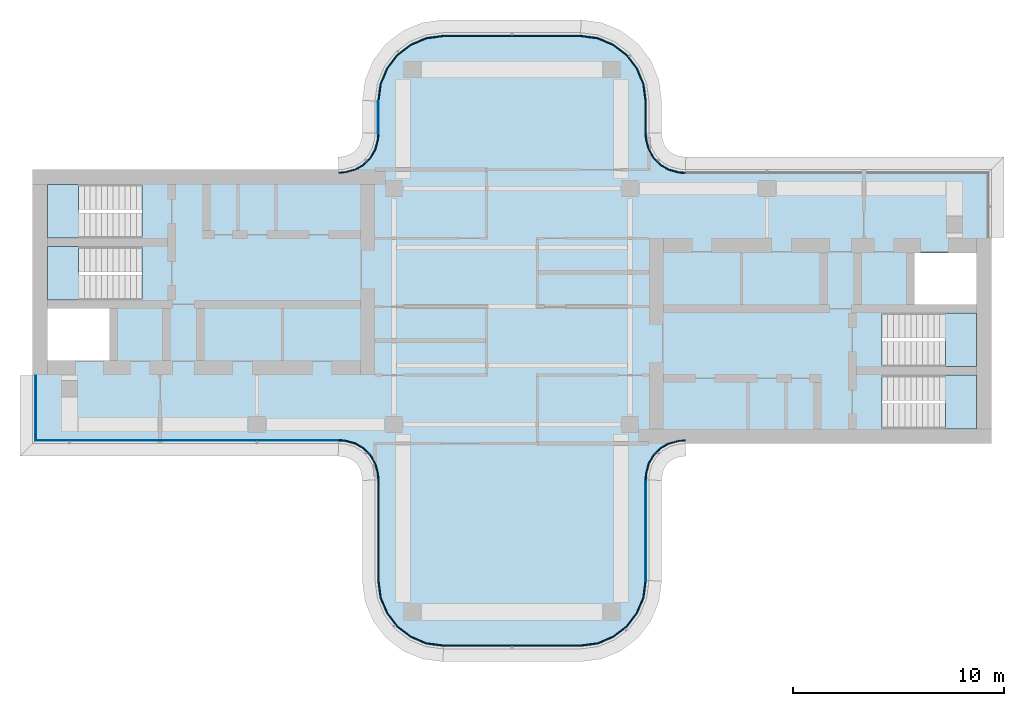
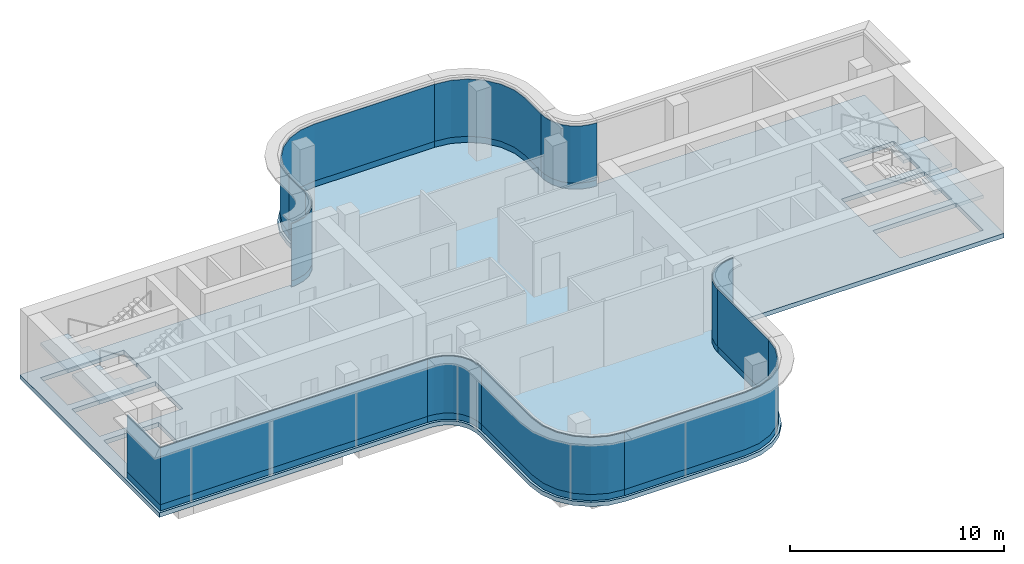
# One storey, part 6 of 10: 24 plates, 5 slabs, 16 elements without a shape of their own.
"""IFC4 building model written with IfcOpenShell, lengths in metres."""

import ifcopenshell
import ifcopenshell.guid

model = None  # the IFC model being written
_history = None  # IfcOwnerHistory: only IFC2X3 demands one
_inside = {}  # id of a spatial element -> (the spatial element, [elements in it])
_under = {}  # id of a project, library or spatial element -> (it, [spatial elements below it])
_declared = {}  # id of a project -> (the project, [libraries it declares])
_typed = {}  # id of a type object -> (the type object, [elements of that type])
_made_of = {}  # id of a material, layer set ... -> (it, [elements and type objects made of it])


def new_model(schema):
    """Start an empty IFC model of exactly this schema.

    Asked for "IFC4X3", IfcOpenShell would pick the latest addendum, in which some entities
    have other attributes; the version numbers below select the first issue.
    IFC2X3 requires an IfcOwnerHistory on every rooted entity: one is made here for all.
    """
    global model, _history
    if schema == "IFC4X3":
        model = ifcopenshell.file(schema_version=(4, 3, 0, 0))
    else:
        model = ifcopenshell.file(schema=schema)
    _inside.clear()
    _under.clear()
    _declared.clear()
    _typed.clear()
    _made_of.clear()
    _history = None
    if model.schema == "IFC2X3":
        org = make("IfcOrganization", Name="unknown")
        user = make(
            "IfcPersonAndOrganization",
            ThePerson=make("IfcPerson", FamilyName="unknown"),
            TheOrganization=org,
        )
        app = make(
            "IfcApplication",
            ApplicationDeveloper=org,
            Version="unknown",
            ApplicationFullName="unknown",
            ApplicationIdentifier="unknown",
        )
        _history = make(
            "IfcOwnerHistory",
            OwningUser=user,
            OwningApplication=app,
            ChangeAction="ADDED",
            CreationDate=0,
        )
    return model


def make(cls, **values):
    """One entity of the class cls with the attributes given. An attribute that is None is left unset."""
    return model.create_entity(
        cls, **{name: value for name, value in values.items() if value is not None}
    )


def rooted(cls, **values):
    """An entity with a GlobalId (a new one), such as an element, a storey or a relation."""
    return make(cls, GlobalId=ifcopenshell.guid.new(), OwnerHistory=_history, **values)


def si_unit(unit_type, name, prefix=None):
    """IfcSIUnit, for example si_unit("LENGTHUNIT", "METRE", prefix="MILLI")."""
    return make("IfcSIUnit", UnitType=unit_type, Prefix=prefix, Name=name)


def assignment(units):
    """IfcUnitAssignment: the units of a project."""
    return None if units is None else make("IfcUnitAssignment", Units=units)


def point(xyz):
    """IfcCartesianPoint."""
    return None if xyz is None else make("IfcCartesianPoint", Coordinates=xyz)


def direction(xyz):
    """IfcDirection."""
    return None if xyz is None else make("IfcDirection", DirectionRatios=xyz)


def frame(location, z_axis=None, x_axis=None):
    """IfcAxis2Placement3D, a coordinate frame: its origin and axes. An axis left out is left unset."""
    return make(
        "IfcAxis2Placement3D",
        Location=point(location),
        Axis=direction(z_axis),
        RefDirection=direction(x_axis),
    )


def origin():
    """The frame at (0, 0, 0) with its axes left unset."""
    return frame((0.0, 0.0, 0.0))


def place(relative_to, where):
    """IfcLocalPlacement: puts the frame where relative to a parent placement (None: the world)."""
    return make(
        "IfcLocalPlacement", PlacementRelTo=relative_to, RelativePlacement=where
    )


def context(
    kind, dimensions, precision=None, world=None, true_north=None, identifier=None
):
    """IfcGeometricRepresentationContext, for example the 3D "Model" context."""
    return make(
        "IfcGeometricRepresentationContext",
        ContextIdentifier=identifier,
        ContextType=kind,
        CoordinateSpaceDimension=dimensions,
        Precision=precision,
        WorldCoordinateSystem=world,
        TrueNorth=true_north,
    )


def subcontext(parent, identifier, kind, view, scale=None):
    """IfcGeometricRepresentationSubContext, for example "Body" below "Model"."""
    return make(
        "IfcGeometricRepresentationSubContext",
        ContextIdentifier=identifier,
        ContextType=kind,
        ParentContext=parent,
        TargetScale=scale,
        TargetView=view,
    )


def project(units=None, contexts=None):
    """IfcProject with its units and contexts."""
    return rooted(
        "IfcProject",
        Name="project",
        RepresentationContexts=contexts,
        UnitsInContext=assignment(units),
    )


def spatial(cls, under=None, at=None, **own):
    """A site, building, storey or space (cls), placed at a placement, below another one or the project."""
    s = rooted(cls, ObjectPlacement=at, **own)
    if under is not None:
        _under.setdefault(under.id(), (under, []))[1].append(s)
    return s


def polyline(points):
    """IfcPolyline through the points."""
    return make("IfcPolyline", Points=[point(p) for p in points])


def outline(outer, holes=None, kind="AREA"):
    """IfcArbitraryClosedProfileDef: a profile drawn as a closed curve; with holes, ...WithVoids."""
    if holes is None:
        return make("IfcArbitraryClosedProfileDef", ProfileType=kind, OuterCurve=outer)
    return make(
        "IfcArbitraryProfileDefWithVoids",
        ProfileType=kind,
        OuterCurve=outer,
        InnerCurves=holes,
    )


def extrude(swept, where, along, depth):
    """IfcExtrudedAreaSolid: the profile swept, set in the frame where, extruded along a direction by depth."""
    return make(
        "IfcExtrudedAreaSolid",
        SweptArea=swept,
        Position=where,
        ExtrudedDirection=direction(along),
        Depth=depth,
    )


def shape(context_of_items, identifier, shape_type, items):
    """IfcShapeRepresentation: the items that make up one representation, for example the "Body"."""
    return make(
        "IfcShapeRepresentation",
        ContextOfItems=context_of_items,
        RepresentationIdentifier=identifier,
        RepresentationType=shape_type,
        Items=items,
    )


def source(mapping_origin, context_of_items, identifier, shape_type, items):
    """IfcRepresentationMap: a shape defined once, which mapped items show again and again."""
    return make(
        "IfcRepresentationMap",
        MappingOrigin=mapping_origin,
        MappedRepresentation=shape(context_of_items, identifier, shape_type, items),
    )


def transform(
    local_origin,
    x_axis=None,
    y_axis=None,
    z_axis=None,
    scale=None,
    scale2=None,
    scale3=None,
    uniform=True,
):
    """IfcCartesianTransformationOperator3D, or its non-uniform kind. x_axis, y_axis, z_axis: its Axis1, 2, 3."""
    if uniform:
        return make(
            "IfcCartesianTransformationOperator3D",
            Axis1=direction(x_axis),
            Axis2=direction(y_axis),
            LocalOrigin=point(local_origin),
            Scale=scale,
            Axis3=direction(z_axis),
        )
    return make(
        "IfcCartesianTransformationOperator3DnonUniform",
        Axis1=direction(x_axis),
        Axis2=direction(y_axis),
        LocalOrigin=point(local_origin),
        Scale=scale,
        Axis3=direction(z_axis),
        Scale2=scale2,
        Scale3=scale3,
    )


def mapped(mapping_source, mapping_target):
    """IfcMappedItem: shows the shape of a source again, moved by a transform."""
    return make(
        "IfcMappedItem", MappingSource=mapping_source, MappingTarget=mapping_target
    )


def material(Name=None, Category=None):
    """IfcMaterial."""
    return make("IfcMaterial", Name=Name, Category=Category)


def layer(
    of_material, thickness, ventilated=None, Name=None, Category=None, Priority=None
):
    """IfcMaterialLayer: one layer of a wall or slab, of a material (None: an air gap)."""
    return make(
        "IfcMaterialLayer",
        Material=of_material,
        LayerThickness=thickness,
        IsVentilated=ventilated,
        Name=Name,
        Category=Category,
        Priority=Priority,
    )


def layer_set(layers, Name=None):
    """IfcMaterialLayerSet."""
    return make("IfcMaterialLayerSet", MaterialLayers=layers, LayerSetName=Name)


def made_of(thing, what):
    """Note that an element or type object is made of a material, layer set ...; save() writes the relation."""
    if what is not None:
        _made_of.setdefault(what.id(), (what, []))[1].append(thing)
    return thing


def type_object(cls, material=None, **own):
    """A type object (cls), such as IfcWallType, which elements share."""
    return made_of(rooted(cls, **own), material)


def element(
    cls,
    number,
    at=None,
    inside=None,
    cuts=None,
    type_object=None,
    material=None,
    context=None,
    identifier="Body",
    shape_type=None,
    held_by="IfcProductDefinitionShape",
    body=None,
    shapes=None,
    **own,
):
    """One element of the class cls, such as IfcWall. Its Tag is "e" and its number.

    at: its placement. inside: the storey or other place that contains it. cuts: it is an
    opening in that element (IfcRelVoidsElement). A single representation is given by context,
    identifier, shape_type and body (its items); several are given by shapes. held_by: the class
    of the entity that holds the representations. save() writes the other relations.
    """
    e = rooted(cls, Tag="e%d" % number, ObjectPlacement=at, **own)
    if body is not None:
        shapes = [shape(context, identifier, shape_type, body)]
    if shapes is not None:
        e.Representation = make(held_by, Representations=shapes)
    if inside is not None:
        _inside.setdefault(inside.id(), (inside, []))[1].append(e)
    if cuts is not None:
        rooted(
            "IfcRelVoidsElement", RelatingBuildingElement=cuts, RelatedOpeningElement=e
        )
    if type_object is not None:
        _typed.setdefault(type_object.id(), (type_object, []))[1].append(e)
    return made_of(e, material)


def aggregate(whole, parts):
    """IfcRelAggregates: a whole, such as a stair, and the parts it consists of."""
    return rooted("IfcRelAggregates", RelatingObject=whole, RelatedObjects=parts)


def save(model, path):
    """Write the relations noted so far, then the file.

    IfcRelAggregates (storeys below a building ...), IfcRelContainedInSpatialStructure (elements
    in a storey), IfcRelDefinesByType, IfcRelAssociatesMaterial and IfcRelDeclares: one each for
    every whole, place, type object, material and project.
    """
    for whole, parts in _under.values():
        aggregate(whole, parts)
    for where, things in _inside.values():
        rooted(
            "IfcRelContainedInSpatialStructure",
            RelatedElements=things,
            RelatingStructure=where,
        )
    for kind, things in _typed.values():
        rooted("IfcRelDefinesByType", RelatedObjects=things, RelatingType=kind)
    for what, things in _made_of.values():
        rooted("IfcRelAssociatesMaterial", RelatedObjects=things, RelatingMaterial=what)
    for by, libraries in _declared.values():
        rooted("IfcRelDeclares", RelatingContext=by, RelatedDefinitions=libraries)
    model.write(path)


model = new_model("IFC4")

# Units and contexts
model_context = context("Model", 3, precision=1e-05, world=origin(), true_north=direction((0.0, 1.0)))
body_context = subcontext(model_context, "Body", "Model", "MODEL_VIEW")
ifc_project = project(units=[si_unit("LENGTHUNIT", "METRE"), si_unit("AREAUNIT", "SQUARE_METRE"), si_unit("VOLUMEUNIT", "CUBIC_METRE"), si_unit("PLANEANGLEUNIT", "RADIAN"), si_unit("MASSUNIT", "GRAM", prefix="KILO")], contexts=[model_context])

# Site, building, storey
site_placement = place(None, origin())
site = spatial("IfcSite", under=ifc_project, at=site_placement, CompositionType="ELEMENT")
building_placement = place(site_placement, origin())
building = spatial("IfcBuilding", under=site, at=building_placement, Name="Trellis Farm Tower", CompositionType="ELEMENT")
storey_placement = place(building_placement, frame((0.0, 0.0, 350.10009765625)))
storey = spatial("IfcBuildingStorey", under=building, at=storey_placement, Name="L79", CompositionType="ELEMENT", Elevation=350.10009765625)

# Curtain wall, plate
ifc_material_1 = material(Name="Aluminium and glass curtain wall", Category="aluminium")
ifc_layer_1 = layer(ifc_material_1, 0.176025390625)
ifc_layer_set_1 = layer_set([ifc_layer_1], Name="CROWN LANTERN CURTAIN WALL CW5")
curtain_wall_type = type_object("IfcCurtainWallType", Name="CROWN LANTERN CURTAIN WALL CW5", PredefinedType="NOTDEFINED", material=ifc_layer_set_1)
placement_1 = place(storey_placement, origin())
curtain_wall_1 = element("IfcCurtainWall", 1, at=placement_1, inside=storey, type_object=curtain_wall_type, Name="CW5 002", PredefinedType="NOTDEFINED")
ifc_material_2 = material(Name="Clear insulated glass", Category="glass")
ifc_layer_2 = layer(ifc_material_2, 0.055908203125)
ifc_layer_set_2 = layer_set([ifc_layer_2], Name="CW5 GLASS PANEL 56")
plate_type_1 = type_object("IfcPlateType", Name="CW5 GLASS PANEL 56", PredefinedType="CURTAIN_PANEL", material=ifc_layer_set_2)
placement_2 = place(storey_placement, frame((0.0, 0.0, 0.349853515625)))
plate_1 = element("IfcPlate", 2, at=placement_2, type_object=plate_type_1, Name="PL5 002", PredefinedType="CURTAIN_PANEL", context=body_context, shape_type="SweptSolid", body=[
    extrude(outline(polyline([(-3.2421875, -16.1298828125), (3.2421875, -16.1298828125), (4.059814453125, -16.0224609375), (4.814453125, -15.709716796875), (5.46240234375, -15.21240234375), (5.959716796875, -14.564453125), (6.2724609375, -13.809814453125), (6.3798828125, -12.9921875), (6.323974609375, -12.988525390625), (6.2177734375, -13.795166015625), (5.910888671875, -14.5361328125), (5.422607421875, -15.172607421875), (4.7861328125, -15.660888671875), (4.045166015625, -15.9677734375), (3.238525390625, -16.073974609375), (-3.238525390625, -16.073974609375), (-3.2421875, -16.1298828125)])), origin(), (0.0, 0.0, 1.0), 3.25),
])

curtain_wall_2 = element("IfcCurtainWall", 3, at=placement_1, inside=storey, type_object=curtain_wall_type, Name="CW5 009", PredefinedType="NOTDEFINED")
plate_2 = element("IfcPlate", 4, at=placement_2, type_object=plate_type_1, Name="PL5 009", PredefinedType="CURTAIN_PANEL", context=body_context, shape_type="SweptSolid", body=[
    extrude(outline(polyline([(3.2421875, 12.8798828125), (-3.2421875, 12.8798828125), (-4.059814453125, 12.7724609375), (-4.814453125, 12.459716796875), (-5.46240234375, 11.96240234375), (-5.959716796875, 11.314453125), (-6.2724609375, 10.559814453125), (-6.3798828125, 9.7421875), (-6.323974609375, 9.738525390625), (-6.2177734375, 10.545166015625), (-5.910888671875, 11.2861328125), (-5.422607421875, 11.922607421875), (-4.7861328125, 12.410888671875), (-4.045166015625, 12.7177734375), (-3.238525390625, 12.823974609375), (3.238525390625, 12.823974609375), (3.2421875, 12.8798828125)])), origin(), (0.0, 0.0, 1.0), 3.25),
])

# Plate
ifc_material_3 = material(Name="Sandstone faced insulated panel", Category="masonry")
ifc_layer_3 = layer(ifc_material_3, 0.044921875)
ifc_layer_set_3 = layer_set([ifc_layer_3], Name="CW5 STONE SPANDREL PANEL 45")
plate_type_2 = type_object("IfcPlateType", Name="CW5 STONE SPANDREL PANEL 45", PredefinedType="CURTAIN_PANEL", material=ifc_layer_set_3)
plate_3 = element("IfcPlate", 5, at=placement_1, type_object=plate_type_2, Name="PS5 002", PredefinedType="CURTAIN_PANEL", context=body_context, shape_type="SweptSolid", body=[
    extrude(outline(polyline([(-3.2421875, -16.1298828125), (3.2421875, -16.1298828125), (4.059814453125, -16.0224609375), (4.814453125, -15.709716796875), (5.46240234375, -15.21240234375), (5.959716796875, -14.564453125), (6.2724609375, -13.809814453125), (6.3798828125, -12.9921875), (6.3349609375, -12.9892578125), (6.228515625, -13.798095703125), (5.92041015625, -14.541748046875), (5.430419921875, -15.180419921875), (4.791748046875, -15.67041015625), (4.048095703125, -15.978515625), (3.2392578125, -16.0849609375), (-3.2392578125, -16.0849609375), (-3.2421875, -16.1298828125)])), origin(), (0.0, 0.0, 1.0), 0.349853515625),
])

aggregate(curtain_wall_1, [plate_1, plate_3])

plate_4 = element("IfcPlate", 6, at=placement_1, type_object=plate_type_2, Name="PS5 009", PredefinedType="CURTAIN_PANEL", context=body_context, shape_type="SweptSolid", body=[
    extrude(outline(polyline([(3.2421875, 12.8798828125), (-3.2421875, 12.8798828125), (-4.059814453125, 12.7724609375), (-4.814453125, 12.459716796875), (-5.46240234375, 11.96240234375), (-5.959716796875, 11.314453125), (-6.2724609375, 10.559814453125), (-6.3798828125, 9.7421875), (-6.3349609375, 9.7392578125), (-6.228515625, 10.548095703125), (-5.92041015625, 11.291748046875), (-5.430419921875, 11.930419921875), (-4.791748046875, 12.42041015625), (-4.048095703125, 12.728515625), (-3.2392578125, 12.8349609375), (3.2392578125, 12.8349609375), (3.2421875, 12.8798828125)])), origin(), (0.0, 0.0, 1.0), 0.349853515625),
])

aggregate(curtain_wall_2, [plate_2, plate_4])

# Slab
ifc_material_4 = material(Name="Concrete C40/50", Category="concrete")
ifc_layer_4 = layer(ifc_material_4, 0.25)
ifc_layer_set_4 = layer_set([ifc_layer_4], Name="Composite deck floor slab 250")
slab_type_1 = type_object("IfcSlabType", Name="Composite deck floor slab 250", PredefinedType="FLOOR", material=ifc_layer_set_4)
shared_shape_1 = source(origin(), body_context, "Body", "SweptSolid", [
    extrude(outline(polyline([(-22.75, 6.5), (-8.2314453125, 6.5), (-8.01953125, 6.513916015625), (-7.91552734375, 6.527587890625), (-7.508544921875, 6.63671875), (-7.144287109375, 6.846923828125), (-6.846923828125, 7.144287109375), (-6.63671875, 7.508544921875), (-6.527587890625, 7.91552734375), (-6.513916015625, 8.01953125), (-6.5, 8.2314453125), (-6.5, 9.75), (-6.389404296875, 10.59130859375), (-6.064697265625, 11.375), (-5.548095703125, 12.048095703125), (-4.875, 12.564697265625), (-4.09130859375, 12.889404296875), (-3.25, 13.0), (3.25, 13.0), (4.09130859375, 12.889404296875), (4.875, 12.564697265625), (5.548095703125, 12.048095703125), (6.064697265625, 11.375), (6.389404296875, 10.59130859375), (6.5, 9.75), (6.5, 8.2314453125), (6.513916015625, 8.01953125), (6.527587890625, 7.91552734375), (6.63671875, 7.508544921875), (6.846923828125, 7.144287109375), (7.144287109375, 6.846923828125), (7.508544921875, 6.63671875), (7.91552734375, 6.527587890625), (8.01953125, 6.513916015625), (8.2314453125, 6.5), (22.75, 6.5), (22.75, -6.5), (8.2314453125, -6.5), (8.01953125, -6.513916015625), (7.91552734375, -6.527587890625), (7.508544921875, -6.63671875), (7.144287109375, -6.846923828125), (6.846923828125, -7.144287109375), (6.63671875, -7.508544921875), (6.527587890625, -7.91552734375), (6.513916015625, -8.01953125), (6.5, -8.2314453125), (6.5, -13.0), (6.389404296875, -13.84130859375), (6.064697265625, -14.625), (5.548095703125, -15.298095703125), (4.875, -15.814697265625), (4.09130859375, -16.139404296875), (3.25, -16.25), (-3.25, -16.25), (-4.09130859375, -16.139404296875), (-4.875, -15.814697265625), (-5.548095703125, -15.298095703125), (-6.064697265625, -14.625), (-6.389404296875, -13.84130859375), (-6.5, -13.0), (-6.5, -8.2314453125), (-6.513916015625, -8.01953125), (-6.527587890625, -7.91552734375), (-6.63671875, -7.508544921875), (-6.846923828125, -7.144287109375), (-7.144287109375, -6.846923828125), (-7.508544921875, -6.63671875), (-7.91552734375, -6.527587890625), (-8.01953125, -6.513916015625), (-8.2314453125, -6.5), (-22.75, -6.5), (-22.75, 6.5)]), holes=[polyline([(22.050048828125, -5.800048828125), (22.050048828125, -3.25), (17.56005859375, -3.25), (17.56005859375, -4.449951171875), (17.550048828125, -4.449951171875), (17.550048828125, -4.60009765625), (17.56201171875, -4.60009765625), (17.56201171875, -5.800048828125), (22.050048828125, -5.800048828125)]), polyline([(17.56201171875, -2.85009765625), (22.050048828125, -2.85009765625), (22.050048828125, -0.300048828125), (17.56005859375, -0.300048828125), (17.56005859375, -1.5), (17.550048828125, -1.5), (17.550048828125, -1.64990234375), (17.56201171875, -1.64990234375), (17.56201171875, -2.85009765625)]), polyline([(-22.050048828125, -2.550048828125), (-19.10009765625, -2.550048828125), (-19.10009765625, -0.10009765625), (-22.050048828125, -0.10009765625), (-22.050048828125, -2.550048828125)]), polyline([(19.10009765625, 2.550048828125), (19.10009765625, 0.10009765625), (22.050048828125, 0.10009765625), (22.050048828125, 2.550048828125), (19.10009765625, 2.550048828125)]), polyline([(-17.56201171875, 2.85009765625), (-22.050048828125, 2.85009765625), (-22.050048828125, 0.300048828125), (-17.56005859375, 0.300048828125), (-17.56005859375, 1.5), (-17.550048828125, 1.5), (-17.550048828125, 1.64990234375), (-17.56201171875, 1.64990234375), (-17.56201171875, 2.85009765625)]), polyline([(-17.56201171875, 5.800048828125), (-22.050048828125, 5.800048828125), (-22.050048828125, 3.25), (-17.56005859375, 3.25), (-17.56005859375, 4.449951171875), (-17.550048828125, 4.449951171875), (-17.550048828125, 4.60009765625), (-17.56201171875, 4.60009765625), (-17.56201171875, 5.800048828125)])]), origin(), (0.0, 0.0, 1.0), 0.25),
])
slab_1_placement = place(storey_placement, frame((0.0, 0.0, -0.25)))
element("IfcSlab", 7, at=slab_1_placement, inside=storey, type_object=slab_type_1, Name="Floor slab", PredefinedType="FLOOR", context=body_context, shape_type="MappedRepresentation", body=[
    mapped(shared_shape_1, transform((0.0, 0.0, 0.0))),
])

# Stair, slab
ifc_material_5 = material(Name="Concrete C50/60", Category="concrete")
stair_type = type_object("IfcStairType", Name="CORE EXIT STAIR 24 RISERS 167 MM", PredefinedType="HALF_TURN_STAIR", material=ifc_material_5)
stair_1 = element("IfcStair", 8, at=placement_1, inside=storey, type_object=stair_type, Name="Exit stair E1", PredefinedType="HALF_TURN_STAIR")
ifc_layer_5 = layer(ifc_material_5, 0.179931640625)
ifc_layer_set_5 = layer_set([ifc_layer_5], Name="CORE STAIR LANDING 180 CONCRETE C50/60")
slab_type_2 = type_object("IfcSlabType", Name="CORE STAIR LANDING 180 CONCRETE C50/60", PredefinedType="LANDING", material=ifc_layer_set_5)
shared_shape_2 = source(origin(), body_context, "Body", "SweptSolid", [
    extrude(outline(polyline([(20.56494140625, -5.800048828125), (20.56494140625, -4.60009765625), (20.574951171875, -4.60009765625), (20.574951171875, -4.449951171875), (20.21240234375, -4.449951171875), (20.21240234375, -3.25), (20.574951171875, -3.25), (22.050048828125, -3.25), (22.050048828125, -5.800048828125), (20.574951171875, -5.800048828125), (20.56494140625, -5.800048828125)])), origin(), (0.0, 0.0, 1.0), 0.18017578125),
])
placement_3 = place(storey_placement, frame((0.0, 0.0, 1.81982421875)))
slab_2 = element("IfcSlab", 9, at=placement_3, type_object=slab_type_2, Name="STE1 landing 1", PredefinedType="LANDING", context=body_context, shape_type="MappedRepresentation", body=[
    mapped(shared_shape_2, transform((0.0, 0.0, 0.0))),
])
aggregate(stair_1, [slab_2])

stair_2 = element("IfcStair", 10, at=placement_1, inside=storey, type_object=stair_type, Name="Exit stair E2", PredefinedType="HALF_TURN_STAIR")
shared_shape_3 = source(origin(), body_context, "Body", "SweptSolid", [
    extrude(outline(polyline([(20.56494140625, -2.85009765625), (20.56494140625, -1.64990234375), (20.574951171875, -1.64990234375), (20.574951171875, -1.5), (20.21240234375, -1.5), (20.21240234375, -0.300048828125), (20.574951171875, -0.300048828125), (22.050048828125, -0.300048828125), (22.050048828125, -2.85009765625), (20.574951171875, -2.85009765625), (20.56494140625, -2.85009765625)])), origin(), (0.0, 0.0, 1.0), 0.18017578125),
])
slab_3 = element("IfcSlab", 11, at=placement_3, type_object=slab_type_2, Name="STE2 landing 1", PredefinedType="LANDING", context=body_context, shape_type="MappedRepresentation", body=[
    mapped(shared_shape_3, transform((0.0, 0.0, 0.0))),
])
aggregate(stair_2, [slab_3])

stair_3 = element("IfcStair", 12, at=placement_1, inside=storey, type_object=stair_type, Name="Exit stair W1", PredefinedType="HALF_TURN_STAIR")
shared_shape_4 = source(origin(), body_context, "Body", "SweptSolid", [
    extrude(outline(polyline([(-20.21240234375, 4.449951171875), (-20.21240234375, 3.25), (-20.574951171875, 3.25), (-22.050048828125, 3.25), (-22.050048828125, 5.800048828125), (-20.574951171875, 5.800048828125), (-20.56494140625, 5.800048828125), (-20.56494140625, 4.60009765625), (-20.574951171875, 4.60009765625), (-20.574951171875, 4.449951171875), (-20.21240234375, 4.449951171875)])), origin(), (0.0, 0.0, 1.0), 0.18017578125),
])
slab_4 = element("IfcSlab", 13, at=placement_3, type_object=slab_type_2, Name="STW1 landing 1", PredefinedType="LANDING", context=body_context, shape_type="MappedRepresentation", body=[
    mapped(shared_shape_4, transform((0.0, 0.0, 0.0))),
])
aggregate(stair_3, [slab_4])

stair_4 = element("IfcStair", 14, at=placement_1, inside=storey, type_object=stair_type, Name="Exit stair W2", PredefinedType="HALF_TURN_STAIR")
shared_shape_5 = source(origin(), body_context, "Body", "SweptSolid", [
    extrude(outline(polyline([(-20.21240234375, 1.5), (-20.21240234375, 0.300048828125), (-20.574951171875, 0.300048828125), (-22.050048828125, 0.300048828125), (-22.050048828125, 2.85009765625), (-20.574951171875, 2.85009765625), (-20.56494140625, 2.85009765625), (-20.56494140625, 1.64990234375), (-20.574951171875, 1.64990234375), (-20.574951171875, 1.5), (-20.21240234375, 1.5)])), origin(), (0.0, 0.0, 1.0), 0.18017578125),
])
slab_5 = element("IfcSlab", 15, at=placement_3, type_object=slab_type_2, Name="STW2 landing 1", PredefinedType="LANDING", context=body_context, shape_type="MappedRepresentation", body=[
    mapped(shared_shape_5, transform((0.0, 0.0, 0.0))),
])
aggregate(stair_4, [slab_5])

# Curtain wall, plates
curtain_wall_3 = element("IfcCurtainWall", 16, at=placement_1, inside=storey, type_object=curtain_wall_type, Name="CW5 004", PredefinedType="NOTDEFINED")
shared_shape_6 = source(origin(), body_context, "Body", "SweptSolid", [
    extrude(outline(polyline([(6.3798828125, -8.2275390625), (6.394287109375, -8.0078125), (6.40966796875, -7.89208984375), (6.52490234375, -7.462158203125), (6.7509765625, -7.070556640625), (7.070556640625, -6.7509765625), (7.462158203125, -6.52490234375), (7.89208984375, -6.40966796875), (8.0078125, -6.394287109375), (8.2275390625, -6.3798828125), (8.2255859375, -6.323974609375), (8.002197265625, -6.338623046875), (7.881103515625, -6.3544921875), (7.440673828125, -6.47265625), (7.0361328125, -6.7060546875), (6.7060546875, -7.0361328125), (6.47265625, -7.440673828125), (6.3544921875, -7.881103515625), (6.338623046875, -8.002197265625), (6.323974609375, -8.2255859375), (6.3798828125, -8.2275390625)])), origin(), (0.0, 0.0, 1.0), 3.25),
])
plate_5 = element("IfcPlate", 17, at=placement_2, type_object=plate_type_1, Name="PL5 004", PredefinedType="CURTAIN_PANEL", context=body_context, shape_type="MappedRepresentation", body=[
    mapped(shared_shape_6, transform((0.0, 0.0, 0.0))),
])
shared_shape_7 = source(origin(), body_context, "Body", "SweptSolid", [
    extrude(outline(polyline([(6.3798828125, -8.2275390625), (6.394287109375, -8.0078125), (6.40966796875, -7.89208984375), (6.52490234375, -7.462158203125), (6.7509765625, -7.070556640625), (7.070556640625, -6.7509765625), (7.462158203125, -6.52490234375), (7.89208984375, -6.40966796875), (8.0078125, -6.394287109375), (8.2275390625, -6.3798828125), (8.22607421875, -6.3349609375), (8.00341796875, -6.349609375), (7.88330078125, -6.365478515625), (7.44482421875, -6.48291015625), (7.04296875, -6.71484375), (6.71484375, -7.04296875), (6.48291015625, -7.44482421875), (6.365478515625, -7.88330078125), (6.349609375, -8.00341796875), (6.3349609375, -8.22607421875), (6.3798828125, -8.2275390625)])), origin(), (0.0, 0.0, 1.0), 0.349853515625),
])
plate_6 = element("IfcPlate", 18, at=placement_1, type_object=plate_type_2, Name="PS5 004", PredefinedType="CURTAIN_PANEL", context=body_context, shape_type="MappedRepresentation", body=[
    mapped(shared_shape_7, transform((0.0, 0.0, 0.0))),
])
aggregate(curtain_wall_3, [plate_5, plate_6])

curtain_wall_4 = element("IfcCurtainWall", 19, at=placement_1, inside=storey, type_object=curtain_wall_type, Name="CW5 007", PredefinedType="NOTDEFINED")
shared_shape_8 = source(origin(), body_context, "Body", "SweptSolid", [
    extrude(outline(polyline([(8.2275390625, 6.3798828125), (8.0078125, 6.394287109375), (7.89208984375, 6.40966796875), (7.462158203125, 6.52490234375), (7.070556640625, 6.7509765625), (6.7509765625, 7.070556640625), (6.52490234375, 7.462158203125), (6.40966796875, 7.89208984375), (6.394287109375, 8.0078125), (6.3798828125, 8.2275390625), (6.323974609375, 8.2255859375), (6.338623046875, 8.002197265625), (6.3544921875, 7.881103515625), (6.47265625, 7.440673828125), (6.7060546875, 7.0361328125), (7.0361328125, 6.7060546875), (7.440673828125, 6.47265625), (7.881103515625, 6.3544921875), (8.002197265625, 6.338623046875), (8.2255859375, 6.323974609375), (8.2275390625, 6.3798828125)])), origin(), (0.0, 0.0, 1.0), 3.25),
])
plate_7 = element("IfcPlate", 20, at=placement_2, type_object=plate_type_1, Name="PL5 007", PredefinedType="CURTAIN_PANEL", context=body_context, shape_type="MappedRepresentation", body=[
    mapped(shared_shape_8, transform((0.0, 0.0, 0.0))),
])
shared_shape_9 = source(origin(), body_context, "Body", "SweptSolid", [
    extrude(outline(polyline([(8.2275390625, 6.3798828125), (8.0078125, 6.394287109375), (7.89208984375, 6.40966796875), (7.462158203125, 6.52490234375), (7.070556640625, 6.7509765625), (6.7509765625, 7.070556640625), (6.52490234375, 7.462158203125), (6.40966796875, 7.89208984375), (6.394287109375, 8.0078125), (6.3798828125, 8.2275390625), (6.3349609375, 8.22607421875), (6.349609375, 8.00341796875), (6.365478515625, 7.88330078125), (6.48291015625, 7.44482421875), (6.71484375, 7.04296875), (7.04296875, 6.71484375), (7.44482421875, 6.48291015625), (7.88330078125, 6.365478515625), (8.00341796875, 6.349609375), (8.22607421875, 6.3349609375), (8.2275390625, 6.3798828125)])), origin(), (0.0, 0.0, 1.0), 0.349853515625),
])
plate_8 = element("IfcPlate", 21, at=placement_1, type_object=plate_type_2, Name="PS5 007", PredefinedType="CURTAIN_PANEL", context=body_context, shape_type="MappedRepresentation", body=[
    mapped(shared_shape_9, transform((0.0, 0.0, 0.0))),
])
aggregate(curtain_wall_4, [plate_7, plate_8])

curtain_wall_5 = element("IfcCurtainWall", 22, at=placement_1, inside=storey, type_object=curtain_wall_type, Name="CW5 011", PredefinedType="NOTDEFINED")
shared_shape_10 = source(origin(), body_context, "Body", "SweptSolid", [
    extrude(outline(polyline([(-6.3798828125, 8.2275390625), (-6.394287109375, 8.0078125), (-6.40966796875, 7.89208984375), (-6.52490234375, 7.462158203125), (-6.7509765625, 7.070556640625), (-7.070556640625, 6.7509765625), (-7.462158203125, 6.52490234375), (-7.89208984375, 6.40966796875), (-8.0078125, 6.394287109375), (-8.2275390625, 6.3798828125), (-8.2255859375, 6.323974609375), (-8.002197265625, 6.338623046875), (-7.881103515625, 6.3544921875), (-7.440673828125, 6.47265625), (-7.0361328125, 6.7060546875), (-6.7060546875, 7.0361328125), (-6.47265625, 7.440673828125), (-6.3544921875, 7.881103515625), (-6.338623046875, 8.002197265625), (-6.323974609375, 8.2255859375), (-6.3798828125, 8.2275390625)])), origin(), (0.0, 0.0, 1.0), 3.25),
])
plate_9 = element("IfcPlate", 23, at=placement_2, type_object=plate_type_1, Name="PL5 011", PredefinedType="CURTAIN_PANEL", context=body_context, shape_type="MappedRepresentation", body=[
    mapped(shared_shape_10, transform((0.0, 0.0, 0.0))),
])
shared_shape_11 = source(origin(), body_context, "Body", "SweptSolid", [
    extrude(outline(polyline([(-6.3798828125, 8.2275390625), (-6.394287109375, 8.0078125), (-6.40966796875, 7.89208984375), (-6.52490234375, 7.462158203125), (-6.7509765625, 7.070556640625), (-7.070556640625, 6.7509765625), (-7.462158203125, 6.52490234375), (-7.89208984375, 6.40966796875), (-8.0078125, 6.394287109375), (-8.2275390625, 6.3798828125), (-8.22607421875, 6.3349609375), (-8.00341796875, 6.349609375), (-7.88330078125, 6.365478515625), (-7.44482421875, 6.48291015625), (-7.04296875, 6.71484375), (-6.71484375, 7.04296875), (-6.48291015625, 7.44482421875), (-6.365478515625, 7.88330078125), (-6.349609375, 8.00341796875), (-6.3349609375, 8.22607421875), (-6.3798828125, 8.2275390625)])), origin(), (0.0, 0.0, 1.0), 0.349853515625),
])
plate_10 = element("IfcPlate", 24, at=placement_1, type_object=plate_type_2, Name="PS5 011", PredefinedType="CURTAIN_PANEL", context=body_context, shape_type="MappedRepresentation", body=[
    mapped(shared_shape_11, transform((0.0, 0.0, 0.0))),
])
aggregate(curtain_wall_5, [plate_9, plate_10])

curtain_wall_6 = element("IfcCurtainWall", 25, at=placement_1, inside=storey, type_object=curtain_wall_type, Name="CW5 013", PredefinedType="NOTDEFINED")
shared_shape_12 = source(origin(), body_context, "Body", "SweptSolid", [
    extrude(outline(polyline([(-22.6298828125, -6.3798828125), (-8.2275390625, -6.3798828125), (-8.2255859375, -6.323974609375), (-22.573974609375, -6.323974609375), (-22.6298828125, -6.3798828125)])), origin(), (0.0, 0.0, 1.0), 3.25),
])
plate_11 = element("IfcPlate", 26, at=placement_2, type_object=plate_type_1, Name="PL5 013", PredefinedType="CURTAIN_PANEL", context=body_context, shape_type="MappedRepresentation", body=[
    mapped(shared_shape_12, transform((0.0, 0.0, 0.0))),
])
shared_shape_13 = source(origin(), body_context, "Body", "SweptSolid", [
    extrude(outline(polyline([(-22.6298828125, -6.3798828125), (-8.2275390625, -6.3798828125), (-8.22607421875, -6.3349609375), (-22.5849609375, -6.3349609375), (-22.6298828125, -6.3798828125)])), origin(), (0.0, 0.0, 1.0), 0.349853515625),
])
plate_12 = element("IfcPlate", 27, at=placement_1, type_object=plate_type_2, Name="PS5 013", PredefinedType="CURTAIN_PANEL", context=body_context, shape_type="MappedRepresentation", body=[
    mapped(shared_shape_13, transform((0.0, 0.0, 0.0))),
])
aggregate(curtain_wall_6, [plate_11, plate_12])

curtain_wall_7 = element("IfcCurtainWall", 28, at=placement_1, inside=storey, type_object=curtain_wall_type, Name="CW5 014", PredefinedType="NOTDEFINED")
shared_shape_14 = source(origin(), body_context, "Body", "SweptSolid", [
    extrude(outline(polyline([(-8.2275390625, -6.3798828125), (-8.0078125, -6.394287109375), (-7.89208984375, -6.40966796875), (-7.462158203125, -6.52490234375), (-7.070556640625, -6.7509765625), (-6.7509765625, -7.070556640625), (-6.52490234375, -7.462158203125), (-6.40966796875, -7.89208984375), (-6.394287109375, -8.0078125), (-6.3798828125, -8.2275390625), (-6.323974609375, -8.2255859375), (-6.338623046875, -8.002197265625), (-6.3544921875, -7.881103515625), (-6.47265625, -7.440673828125), (-6.7060546875, -7.0361328125), (-7.0361328125, -6.7060546875), (-7.440673828125, -6.47265625), (-7.881103515625, -6.3544921875), (-8.002197265625, -6.338623046875), (-8.2255859375, -6.323974609375), (-8.2275390625, -6.3798828125)])), origin(), (0.0, 0.0, 1.0), 3.25),
])
plate_13 = element("IfcPlate", 29, at=placement_2, type_object=plate_type_1, Name="PL5 014", PredefinedType="CURTAIN_PANEL", context=body_context, shape_type="MappedRepresentation", body=[
    mapped(shared_shape_14, transform((0.0, 0.0, 0.0))),
])
shared_shape_15 = source(origin(), body_context, "Body", "SweptSolid", [
    extrude(outline(polyline([(-8.2275390625, -6.3798828125), (-8.0078125, -6.394287109375), (-7.89208984375, -6.40966796875), (-7.462158203125, -6.52490234375), (-7.070556640625, -6.7509765625), (-6.7509765625, -7.070556640625), (-6.52490234375, -7.462158203125), (-6.40966796875, -7.89208984375), (-6.394287109375, -8.0078125), (-6.3798828125, -8.2275390625), (-6.3349609375, -8.22607421875), (-6.349609375, -8.00341796875), (-6.365478515625, -7.88330078125), (-6.48291015625, -7.44482421875), (-6.71484375, -7.04296875), (-7.04296875, -6.71484375), (-7.44482421875, -6.48291015625), (-7.88330078125, -6.365478515625), (-8.00341796875, -6.349609375), (-8.22607421875, -6.3349609375), (-8.2275390625, -6.3798828125)])), origin(), (0.0, 0.0, 1.0), 0.349853515625),
])
plate_14 = element("IfcPlate", 30, at=placement_1, type_object=plate_type_2, Name="PS5 014", PredefinedType="CURTAIN_PANEL", context=body_context, shape_type="MappedRepresentation", body=[
    mapped(shared_shape_15, transform((0.0, 0.0, 0.0))),
])
aggregate(curtain_wall_7, [plate_13, plate_14])

curtain_wall_8 = element("IfcCurtainWall", 31, at=placement_1, inside=storey, type_object=curtain_wall_type, Name="CW5 012", PredefinedType="NOTDEFINED")
shared_shape_16 = source(origin(), body_context, "Body", "SweptSolid", [
    extrude(outline(polyline([(-22.6298828125, -3.280029296875), (-22.6298828125, -6.3798828125), (-22.573974609375, -6.323974609375), (-22.573974609375, -3.280029296875), (-22.6298828125, -3.280029296875)])), origin(), (0.0, 0.0, 1.0), 3.25),
])
plate_15 = element("IfcPlate", 32, at=placement_2, type_object=plate_type_1, Name="PL5 012", PredefinedType="CURTAIN_PANEL", context=body_context, shape_type="MappedRepresentation", body=[
    mapped(shared_shape_16, transform((0.0, 0.0, 0.0))),
])
shared_shape_17 = source(origin(), body_context, "Body", "SweptSolid", [
    extrude(outline(polyline([(-22.6298828125, -3.280029296875), (-22.6298828125, -6.3798828125), (-22.5849609375, -6.3349609375), (-22.5849609375, -3.280029296875), (-22.6298828125, -3.280029296875)])), origin(), (0.0, 0.0, 1.0), 0.349853515625),
])
plate_16 = element("IfcPlate", 33, at=placement_1, type_object=plate_type_2, Name="PS5 012", PredefinedType="CURTAIN_PANEL", context=body_context, shape_type="MappedRepresentation", body=[
    mapped(shared_shape_17, transform((0.0, 0.0, 0.0))),
])
aggregate(curtain_wall_8, [plate_15, plate_16])

curtain_wall_9 = element("IfcCurtainWall", 34, at=placement_1, inside=storey, type_object=curtain_wall_type, Name="CW5 001", PredefinedType="NOTDEFINED")
shared_shape_18 = source(origin(), body_context, "Body", "SweptSolid", [
    extrude(outline(polyline([(-6.3798828125, -8.2275390625), (-6.3798828125, -12.9921875), (-6.2724609375, -13.809814453125), (-5.959716796875, -14.564453125), (-5.46240234375, -15.21240234375), (-4.814453125, -15.709716796875), (-4.059814453125, -16.0224609375), (-3.2421875, -16.1298828125), (-3.238525390625, -16.073974609375), (-4.045166015625, -15.9677734375), (-4.7861328125, -15.660888671875), (-5.422607421875, -15.172607421875), (-5.910888671875, -14.5361328125), (-6.2177734375, -13.795166015625), (-6.323974609375, -12.988525390625), (-6.323974609375, -8.2255859375), (-6.3798828125, -8.2275390625)])), origin(), (0.0, 0.0, 1.0), 3.25),
])
plate_17 = element("IfcPlate", 35, at=placement_2, type_object=plate_type_1, Name="PL5 001", PredefinedType="CURTAIN_PANEL", context=body_context, shape_type="MappedRepresentation", body=[
    mapped(shared_shape_18, transform((0.0, 0.0, 0.0))),
])
shared_shape_19 = source(origin(), body_context, "Body", "SweptSolid", [
    extrude(outline(polyline([(-6.3798828125, -8.2275390625), (-6.3798828125, -12.9921875), (-6.2724609375, -13.809814453125), (-5.959716796875, -14.564453125), (-5.46240234375, -15.21240234375), (-4.814453125, -15.709716796875), (-4.059814453125, -16.0224609375), (-3.2421875, -16.1298828125), (-3.2392578125, -16.0849609375), (-4.048095703125, -15.978515625), (-4.791748046875, -15.67041015625), (-5.430419921875, -15.180419921875), (-5.92041015625, -14.541748046875), (-6.228515625, -13.798095703125), (-6.3349609375, -12.9892578125), (-6.3349609375, -8.22607421875), (-6.3798828125, -8.2275390625)])), origin(), (0.0, 0.0, 1.0), 0.349853515625),
])
plate_18 = element("IfcPlate", 36, at=placement_1, type_object=plate_type_2, Name="PS5 001", PredefinedType="CURTAIN_PANEL", context=body_context, shape_type="MappedRepresentation", body=[
    mapped(shared_shape_19, transform((0.0, 0.0, 0.0))),
])
aggregate(curtain_wall_9, [plate_17, plate_18])

curtain_wall_10 = element("IfcCurtainWall", 37, at=placement_1, inside=storey, type_object=curtain_wall_type, Name="CW5 003", PredefinedType="NOTDEFINED")
shared_shape_20 = source(origin(), body_context, "Body", "SweptSolid", [
    extrude(outline(polyline([(6.3798828125, -12.9921875), (6.3798828125, -8.2275390625), (6.323974609375, -8.2255859375), (6.323974609375, -12.988525390625), (6.3798828125, -12.9921875)])), origin(), (0.0, 0.0, 1.0), 3.25),
])
plate_19 = element("IfcPlate", 38, at=placement_2, type_object=plate_type_1, Name="PL5 003", PredefinedType="CURTAIN_PANEL", context=body_context, shape_type="MappedRepresentation", body=[
    mapped(shared_shape_20, transform((0.0, 0.0, 0.0))),
])
shared_shape_21 = source(origin(), body_context, "Body", "SweptSolid", [
    extrude(outline(polyline([(6.3798828125, -12.9921875), (6.3798828125, -8.2275390625), (6.3349609375, -8.22607421875), (6.3349609375, -12.9892578125), (6.3798828125, -12.9921875)])), origin(), (0.0, 0.0, 1.0), 0.349853515625),
])
plate_20 = element("IfcPlate", 39, at=placement_1, type_object=plate_type_2, Name="PS5 003", PredefinedType="CURTAIN_PANEL", context=body_context, shape_type="MappedRepresentation", body=[
    mapped(shared_shape_21, transform((0.0, 0.0, 0.0))),
])
aggregate(curtain_wall_10, [plate_19, plate_20])

curtain_wall_11 = element("IfcCurtainWall", 40, at=placement_1, inside=storey, type_object=curtain_wall_type, Name="CW5 008", PredefinedType="NOTDEFINED")
shared_shape_22 = source(origin(), body_context, "Body", "SweptSolid", [
    extrude(outline(polyline([(6.3798828125, 8.2275390625), (6.3798828125, 9.7421875), (6.2724609375, 10.559814453125), (5.959716796875, 11.314453125), (5.46240234375, 11.96240234375), (4.814453125, 12.459716796875), (4.059814453125, 12.7724609375), (3.2421875, 12.8798828125), (3.238525390625, 12.823974609375), (4.045166015625, 12.7177734375), (4.7861328125, 12.410888671875), (5.422607421875, 11.922607421875), (5.910888671875, 11.2861328125), (6.2177734375, 10.545166015625), (6.323974609375, 9.738525390625), (6.323974609375, 8.2255859375), (6.3798828125, 8.2275390625)])), origin(), (0.0, 0.0, 1.0), 3.25),
])
plate_21 = element("IfcPlate", 41, at=placement_2, type_object=plate_type_1, Name="PL5 008", PredefinedType="CURTAIN_PANEL", context=body_context, shape_type="MappedRepresentation", body=[
    mapped(shared_shape_22, transform((0.0, 0.0, 0.0))),
])
shared_shape_23 = source(origin(), body_context, "Body", "SweptSolid", [
    extrude(outline(polyline([(6.3798828125, 8.2275390625), (6.3798828125, 9.7421875), (6.2724609375, 10.559814453125), (5.959716796875, 11.314453125), (5.46240234375, 11.96240234375), (4.814453125, 12.459716796875), (4.059814453125, 12.7724609375), (3.2421875, 12.8798828125), (3.2392578125, 12.8349609375), (4.048095703125, 12.728515625), (4.791748046875, 12.42041015625), (5.430419921875, 11.930419921875), (5.92041015625, 11.291748046875), (6.228515625, 10.548095703125), (6.3349609375, 9.7392578125), (6.3349609375, 8.22607421875), (6.3798828125, 8.2275390625)])), origin(), (0.0, 0.0, 1.0), 0.349853515625),
])
plate_22 = element("IfcPlate", 42, at=placement_1, type_object=plate_type_2, Name="PS5 008", PredefinedType="CURTAIN_PANEL", context=body_context, shape_type="MappedRepresentation", body=[
    mapped(shared_shape_23, transform((0.0, 0.0, 0.0))),
])
aggregate(curtain_wall_11, [plate_21, plate_22])

curtain_wall_12 = element("IfcCurtainWall", 43, at=placement_1, inside=storey, type_object=curtain_wall_type, Name="CW5 010", PredefinedType="NOTDEFINED")
shared_shape_24 = source(origin(), body_context, "Body", "SweptSolid", [
    extrude(outline(polyline([(-6.3798828125, 9.7421875), (-6.3798828125, 8.2275390625), (-6.323974609375, 8.2255859375), (-6.323974609375, 9.738525390625), (-6.3798828125, 9.7421875)])), origin(), (0.0, 0.0, 1.0), 3.25),
])
plate_23 = element("IfcPlate", 44, at=placement_2, type_object=plate_type_1, Name="PL5 010", PredefinedType="CURTAIN_PANEL", context=body_context, shape_type="MappedRepresentation", body=[
    mapped(shared_shape_24, transform((0.0, 0.0, 0.0))),
])
shared_shape_25 = source(origin(), body_context, "Body", "SweptSolid", [
    extrude(outline(polyline([(-6.3798828125, 9.7421875), (-6.3798828125, 8.2275390625), (-6.3349609375, 8.22607421875), (-6.3349609375, 9.7392578125), (-6.3798828125, 9.7421875)])), origin(), (0.0, 0.0, 1.0), 0.349853515625),
])
plate_24 = element("IfcPlate", 45, at=placement_1, type_object=plate_type_2, Name="PS5 010", PredefinedType="CURTAIN_PANEL", context=body_context, shape_type="MappedRepresentation", body=[
    mapped(shared_shape_25, transform((0.0, 0.0, 0.0))),
])
aggregate(curtain_wall_12, [plate_23, plate_24])

save(model, "model.ifc")
